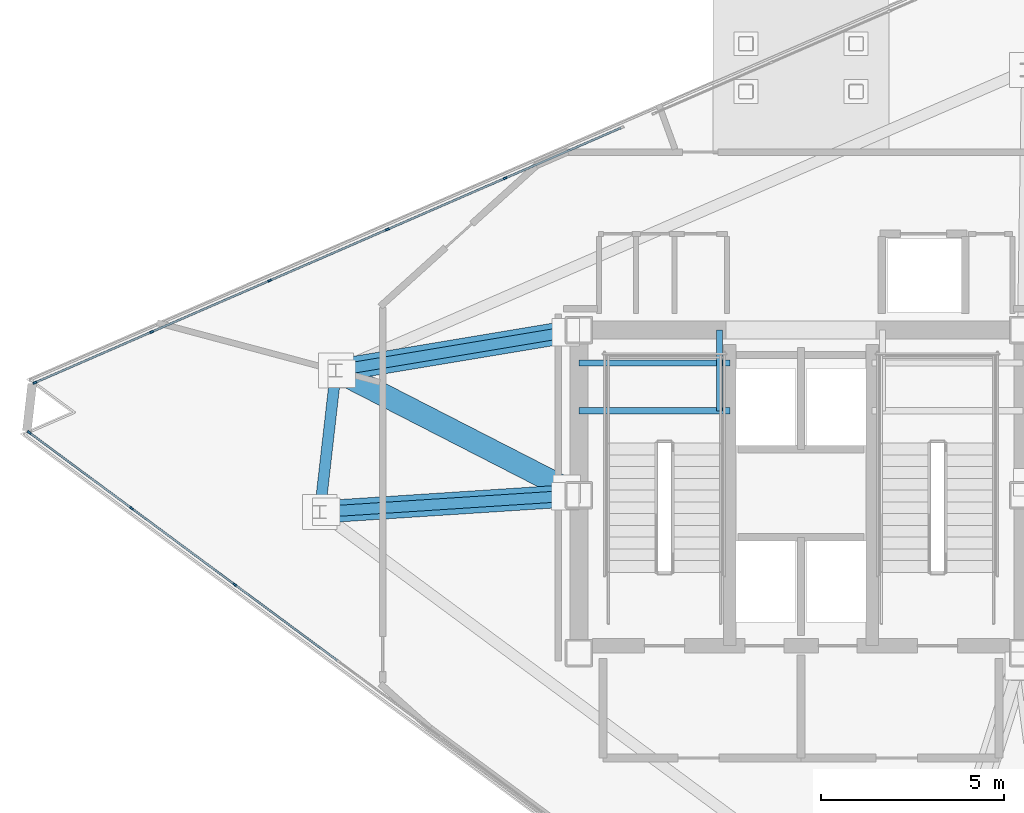
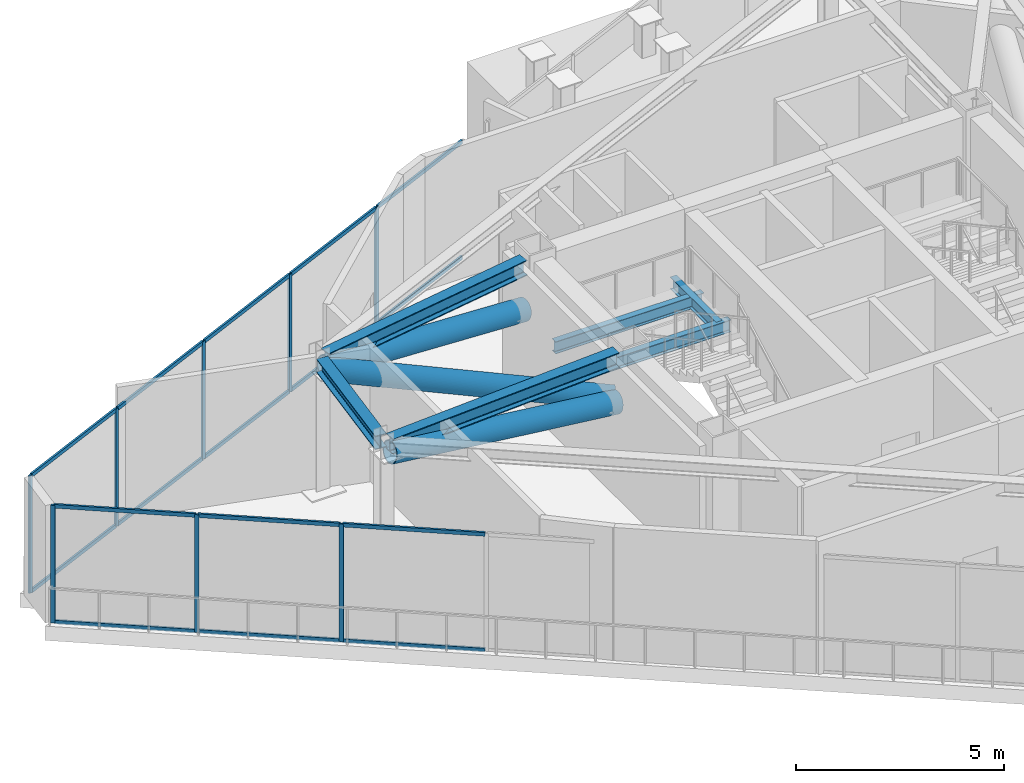
# One storey, part 4 of 11: 27 members, 6 beams, 2 elements without a shape of their own.
"""IFC4 building model written with IfcOpenShell, lengths in metres."""

from ifc_helpers import new_model, si_unit, direction, frame, origin, origin_2d, place, context, subcontext, project, spatial, rectangle, hollow_circle, i_section, extrude, material, layer, layer_set, material_profile, profile_set, type_object, element, aggregate, save


model = new_model("IFC4")

# Units and contexts
model_context = context("Model", 3, precision=1e-05, world=origin(), true_north=direction((0.0, 1.0)))
body_context = subcontext(model_context, "Body", "Model", "MODEL_VIEW")
ifc_project = project(units=[si_unit("LENGTHUNIT", "METRE"), si_unit("AREAUNIT", "SQUARE_METRE"), si_unit("VOLUMEUNIT", "CUBIC_METRE"), si_unit("PLANEANGLEUNIT", "RADIAN"), si_unit("MASSUNIT", "GRAM", prefix="KILO")], contexts=[model_context])

# Site, building, storey
site_placement = place(None, origin())
site = spatial("IfcSite", under=ifc_project, at=site_placement, CompositionType="ELEMENT")
building_placement = place(site_placement, origin())
building = spatial("IfcBuilding", under=site, at=building_placement, Name="Rocaltana Carrier Exchange", CompositionType="ELEMENT")
storey_placement = place(building_placement, frame((0.0, 0.0, 239.199951171875)))
storey = spatial("IfcBuildingStorey", under=building, at=storey_placement, Name="L76", CompositionType="ELEMENT", Elevation=239.199951171875)

# Curtain wall, members
ifc_material_1 = material(Name="Aluminium 6063-T6", Category="aluminium")
ifc_layer = layer(ifc_material_1, 0.110107421875)
ifc_layer_set = layer_set([ifc_layer], Name="Aluminium 6063-T6")
curtain_wall_type = type_object("IfcCurtainWallType", Name="Crown Lantern Faceted Curtain Wall CW-06", PredefinedType="NOTDEFINED", material=ifc_layer_set)
curtain_wall_1_placement = place(storey_placement, origin())
curtain_wall_1 = element("IfcCurtainWall", 1, at=curtain_wall_1_placement, inside=storey, type_object=curtain_wall_type, Name="L76 CW-06 Run CW06-L76-F2S2", PredefinedType="NOTDEFINED")
ifc_material_2 = material(Name="Aluminium 6063-T6", Category="aluminium")
ifc_material_profile_1 = material_profile(ifc_material_2, rectangle(XDim=0.054931640625, YDim=0.110107421875, at=origin_2d()), Name="AL-55X110")
ifc_profile_set_1 = profile_set([ifc_material_profile_1], Name="Aluminium 6063-T6")
member_type_1 = type_object("IfcMemberType", Name="CW-06 Mullion AL-55X110", PredefinedType="MULLION", material=ifc_profile_set_1)
member_1_placement = place(storey_placement, frame((-8.06298828125, 8.637451171875, 0.0), z_axis=(0.0, 0.0, 1.0), x_axis=(0.398749722519, -0.917059790194, 0.0)))
member_1 = element("IfcMember", 2, at=member_1_placement, type_object=member_type_1, Name="CW-06 mullion 2", PredefinedType="MULLION", context=body_context, shape_type="SweptSolid", body=[
    extrude(rectangle(XDim=0.054931640625, YDim=0.110107421875, at=origin_2d()), origin(), (0.0, 0.0, 1.0), 3.447998046875),
])
member_2_placement = place(storey_placement, frame((-11.272705078125, 7.24169921875, 0.0), z_axis=(0.0, 0.0, 1.0), x_axis=(0.398749722519, -0.917059790194, 0.0)))
member_2 = element("IfcMember", 3, at=member_2_placement, type_object=member_type_1, Name="CW-06 mullion 3", PredefinedType="MULLION", context=body_context, shape_type="SweptSolid", body=[
    extrude(rectangle(XDim=0.054931640625, YDim=0.110107421875, at=origin_2d()), origin(), (0.0, 0.0, 1.0), 3.447998046875),
])
member_3_placement = place(storey_placement, frame((-14.482421875, 5.84619140625, 0.0), z_axis=(0.0, 0.0, 1.0), x_axis=(0.398749722519, -0.917059790194, 0.0)))
member_3 = element("IfcMember", 4, at=member_3_placement, type_object=member_type_1, Name="CW-06 mullion 4", PredefinedType="MULLION", context=body_context, shape_type="SweptSolid", body=[
    extrude(rectangle(XDim=0.054931640625, YDim=0.110107421875, at=origin_2d()), origin(), (0.0, 0.0, 1.0), 3.447998046875),
])
member_4_placement = place(storey_placement, frame((-17.69189453125, 4.450439453125, 0.0), z_axis=(0.0, 0.0, 1.0), x_axis=(0.398749722519, -0.917059790194, 0.0)))
member_4 = element("IfcMember", 5, at=member_4_placement, type_object=member_type_1, Name="CW-06 mullion 5", PredefinedType="MULLION", context=body_context, shape_type="SweptSolid", body=[
    extrude(rectangle(XDim=0.054931640625, YDim=0.110107421875, at=origin_2d()), origin(), (0.0, 0.0, 1.0), 3.447998046875),
])
member_5_placement = place(storey_placement, frame((-20.87646484375, 3.06591796875, 0.0), z_axis=(0.0, 0.0, 1.0), x_axis=(0.398749722519, -0.917059790194, 0.0)))
member_5 = element("IfcMember", 6, at=member_5_placement, type_object=member_type_1, Name="CW-06 mullion 6", PredefinedType="MULLION", context=body_context, shape_type="SweptSolid", body=[
    extrude(rectangle(XDim=0.054931640625, YDim=0.110107421875, at=origin_2d()), origin(), (0.0, 0.0, 1.0), 3.447998046875),
])

curtain_wall_2_placement = place(storey_placement, origin())
curtain_wall_2 = element("IfcCurtainWall", 7, at=curtain_wall_2_placement, inside=storey, type_object=curtain_wall_type, Name="L76 CW-06 Run CW06-L76-F3S1", PredefinedType="NOTDEFINED")
member_6_placement = place(storey_placement, frame((-21.031005859375, 1.708984375, 0.0), z_axis=(0.0, 0.0, 1.0), x_axis=(0.594822697282, 0.803856926821, 0.0)))
member_6 = element("IfcMember", 8, at=member_6_placement, type_object=member_type_1, Name="CW-06 mullion 1", PredefinedType="MULLION", context=body_context, shape_type="SweptSolid", body=[
    extrude(rectangle(XDim=0.054931640625, YDim=0.110107421875, at=origin_2d()), origin(), (0.0, 0.0, 1.0), 3.447998046875),
])
member_7_placement = place(storey_placement, frame((-18.23974609375, -0.356689453125, 0.0), z_axis=(0.0, 0.0, 1.0), x_axis=(0.594822697282, 0.803856926821, 0.0)))
member_7 = element("IfcMember", 9, at=member_7_placement, type_object=member_type_1, Name="CW-06 mullion 2", PredefinedType="MULLION", context=body_context, shape_type="SweptSolid", body=[
    extrude(rectangle(XDim=0.054931640625, YDim=0.110107421875, at=origin_2d()), origin(), (0.0, 0.0, 1.0), 3.447998046875),
])
member_8_placement = place(storey_placement, frame((-15.42626953125, -2.4384765625, 0.0), z_axis=(0.0, 0.0, 1.0), x_axis=(0.594822697282, 0.803856926821, 0.0)))
member_8 = element("IfcMember", 10, at=member_8_placement, type_object=member_type_1, Name="CW-06 mullion 3", PredefinedType="MULLION", context=body_context, shape_type="SweptSolid", body=[
    extrude(rectangle(XDim=0.054931640625, YDim=0.110107421875, at=origin_2d()), origin(), (0.0, 0.0, 1.0), 3.447998046875),
])

# Member
ifc_material_3 = material(Name="Aluminium 6063-T6", Category="aluminium")
ifc_material_profile_2 = material_profile(ifc_material_3, rectangle(XDim=0.054931640625, YDim=0.110107421875, at=origin_2d()), Name="AL-55X110")
ifc_profile_set_2 = profile_set([ifc_material_profile_2], Name="Aluminium 6063-T6")
member_type_2 = type_object("IfcMemberType", Name="CW-06 Transom AL-55X110", PredefinedType="USERDEFINED", material=ifc_profile_set_2)
member_9_placement = place(storey_placement, frame((-4.903564453125, 10.010986328125, 0.027587890625), z_axis=(-0.917078006492, -0.398707825367, 0.0), x_axis=(0.398707825367, -0.917078006492, 0.0)))
member_9 = element("IfcMember", 11, at=member_9_placement, type_object=member_type_2, Name="CW-06 transom 1.1", ObjectType="TRANSOM", PredefinedType="USERDEFINED", context=body_context, shape_type="SweptSolid", body=[
    extrude(rectangle(XDim=0.054931640625, YDim=0.110107421875, at=origin_2d()), origin(), (0.0, 0.0, 1.0), 3.41748046875),
])

member_10_placement = place(storey_placement, frame((-4.903564453125, 10.010986328125, 3.420654296875), z_axis=(-0.917078006492, -0.398707825367, 0.0), x_axis=(0.398707825367, -0.917078006492, 0.0)))
member_10 = element("IfcMember", 12, at=member_10_placement, type_object=member_type_2, Name="CW-06 transom 1.2", ObjectType="TRANSOM", PredefinedType="USERDEFINED", context=body_context, shape_type="SweptSolid", body=[
    extrude(rectangle(XDim=0.054931640625, YDim=0.110107421875, at=origin_2d()), origin(), (0.0, 0.0, 1.0), 3.41748046875),
])

member_11_placement = place(storey_placement, frame((-8.088134765625, 8.62646484375, 0.027587890625), z_axis=(-0.917046394043, -0.398780530083, 0.0), x_axis=(0.398780530083, -0.917046394043, 0.0)))
member_11 = element("IfcMember", 13, at=member_11_placement, type_object=member_type_2, Name="CW-06 transom 2.1", ObjectType="TRANSOM", PredefinedType="USERDEFINED", context=body_context, shape_type="SweptSolid", body=[
    extrude(rectangle(XDim=0.054931640625, YDim=0.110107421875, at=origin_2d()), origin(), (0.0, 0.0, 1.0), 3.445068359375),
])

member_12_placement = place(storey_placement, frame((-8.088134765625, 8.62646484375, 3.420654296875), z_axis=(-0.917046394043, -0.398780530083, 0.0), x_axis=(0.398780530083, -0.917046394043, 0.0)))
member_12 = element("IfcMember", 14, at=member_12_placement, type_object=member_type_2, Name="CW-06 transom 2.2", ObjectType="TRANSOM", PredefinedType="USERDEFINED", context=body_context, shape_type="SweptSolid", body=[
    extrude(rectangle(XDim=0.054931640625, YDim=0.110107421875, at=origin_2d()), origin(), (0.0, 0.0, 1.0), 3.445068359375),
])

member_13_placement = place(storey_placement, frame((-11.2978515625, 7.230712890625, 0.027587890625), z_axis=(-0.917072309692, -0.398720928464, 0.0), x_axis=(0.398720928464, -0.917072309692, 0.0)))
member_13 = element("IfcMember", 15, at=member_13_placement, type_object=member_type_2, Name="CW-06 transom 3.1", ObjectType="TRANSOM", PredefinedType="USERDEFINED", context=body_context, shape_type="SweptSolid", body=[
    extrude(rectangle(XDim=0.054931640625, YDim=0.110107421875, at=origin_2d()), origin(), (0.0, 0.0, 1.0), 3.44482421875),
])

member_14_placement = place(storey_placement, frame((-11.2978515625, 7.230712890625, 3.420654296875), z_axis=(-0.917072309692, -0.398720928464, 0.0), x_axis=(0.398720928464, -0.917072309692, 0.0)))
member_14 = element("IfcMember", 16, at=member_14_placement, type_object=member_type_2, Name="CW-06 transom 3.2", ObjectType="TRANSOM", PredefinedType="USERDEFINED", context=body_context, shape_type="SweptSolid", body=[
    extrude(rectangle(XDim=0.054931640625, YDim=0.110107421875, at=origin_2d()), origin(), (0.0, 0.0, 1.0), 3.44482421875),
])

member_15_placement = place(storey_placement, frame((-14.507568359375, 5.835205078125, 0.027587890625), z_axis=(-0.917046394043, -0.398780530083, 0.0), x_axis=(0.398780530083, -0.917046394043, 0.0)))
member_15 = element("IfcMember", 17, at=member_15_placement, type_object=member_type_2, Name="CW-06 transom 4.1", ObjectType="TRANSOM", PredefinedType="USERDEFINED", context=body_context, shape_type="SweptSolid", body=[
    extrude(rectangle(XDim=0.054931640625, YDim=0.110107421875, at=origin_2d()), origin(), (0.0, 0.0, 1.0), 3.445068359375),
])

member_16_placement = place(storey_placement, frame((-14.507568359375, 5.835205078125, 3.420654296875), z_axis=(-0.917046394043, -0.398780530083, 0.0), x_axis=(0.398780530083, -0.917046394043, 0.0)))
member_16 = element("IfcMember", 18, at=member_16_placement, type_object=member_type_2, Name="CW-06 transom 4.2", ObjectType="TRANSOM", PredefinedType="USERDEFINED", context=body_context, shape_type="SweptSolid", body=[
    extrude(rectangle(XDim=0.054931640625, YDim=0.110107421875, at=origin_2d()), origin(), (0.0, 0.0, 1.0), 3.445068359375),
])

member_17_placement = place(storey_placement, frame((-17.71728515625, 4.439453125, 0.027587890625), z_axis=(-0.917078006492, -0.398707825367, 0.0), x_axis=(0.398707825367, -0.917078006492, 0.0)))
member_17 = element("IfcMember", 19, at=member_17_placement, type_object=member_type_2, Name="CW-06 transom 5.1", ObjectType="TRANSOM", PredefinedType="USERDEFINED", context=body_context, shape_type="SweptSolid", body=[
    extrude(rectangle(XDim=0.054931640625, YDim=0.110107421875, at=origin_2d()), origin(), (0.0, 0.0, 1.0), 3.41748046875),
])

member_18_placement = place(storey_placement, frame((-17.71728515625, 4.439453125, 3.420654296875), z_axis=(-0.917078006492, -0.398707825367, 0.0), x_axis=(0.398707825367, -0.917078006492, 0.0)))
member_18 = element("IfcMember", 20, at=member_18_placement, type_object=member_type_2, Name="CW-06 transom 5.2", ObjectType="TRANSOM", PredefinedType="USERDEFINED", context=body_context, shape_type="SweptSolid", body=[
    extrude(rectangle(XDim=0.054931640625, YDim=0.110107421875, at=origin_2d()), origin(), (0.0, 0.0, 1.0), 3.41748046875),
])

aggregate(curtain_wall_1, [member_1, member_2, member_3, member_4, member_5, member_9, member_10, member_11, member_12, member_13, member_14, member_15, member_16, member_17, member_18])

member_19_placement = place(storey_placement, frame((-21.009033203125, 1.692626953125, 0.027587890625), z_axis=(0.803849413673, -0.594832850587, 0.0), x_axis=(0.594832850587, 0.803849413673, 0.0)))
member_19 = element("IfcMember", 21, at=member_19_placement, type_object=member_type_2, Name="CW-06 transom 1.1", ObjectType="TRANSOM", PredefinedType="USERDEFINED", context=body_context, shape_type="SweptSolid", body=[
    extrude(rectangle(XDim=0.054931640625, YDim=0.110107421875, at=origin_2d()), origin(), (0.0, 0.0, 1.0), 3.417724609375),
])

member_20_placement = place(storey_placement, frame((-21.009033203125, 1.692626953125, 3.420654296875), z_axis=(0.803849413673, -0.594832850587, 0.0), x_axis=(0.594832850587, 0.803849413673, 0.0)))
member_20 = element("IfcMember", 22, at=member_20_placement, type_object=member_type_2, Name="CW-06 transom 1.2", ObjectType="TRANSOM", PredefinedType="USERDEFINED", context=body_context, shape_type="SweptSolid", body=[
    extrude(rectangle(XDim=0.054931640625, YDim=0.110107421875, at=origin_2d()), origin(), (0.0, 0.0, 1.0), 3.417724609375),
])

member_21_placement = place(storey_placement, frame((-18.217529296875, -0.373046875, 0.027587890625), z_axis=(0.803869685512, -0.59480545451, 0.0), x_axis=(0.59480545451, 0.803869685512, 0.0)))
member_21 = element("IfcMember", 23, at=member_21_placement, type_object=member_type_2, Name="CW-06 transom 2.1", ObjectType="TRANSOM", PredefinedType="USERDEFINED", context=body_context, shape_type="SweptSolid", body=[
    extrude(rectangle(XDim=0.054931640625, YDim=0.110107421875, at=origin_2d()), origin(), (0.0, 0.0, 1.0), 3.44482421875),
])

member_22_placement = place(storey_placement, frame((-18.217529296875, -0.373046875, 3.420654296875), z_axis=(0.803869685512, -0.59480545451, 0.0), x_axis=(0.59480545451, 0.803869685512, 0.0)))
member_22 = element("IfcMember", 24, at=member_22_placement, type_object=member_type_2, Name="CW-06 transom 2.2", ObjectType="TRANSOM", PredefinedType="USERDEFINED", context=body_context, shape_type="SweptSolid", body=[
    extrude(rectangle(XDim=0.054931640625, YDim=0.110107421875, at=origin_2d()), origin(), (0.0, 0.0, 1.0), 3.44482421875),
])

member_23_placement = place(storey_placement, frame((-15.404052734375, -2.454833984375, 0.027587890625), z_axis=(0.803869685512, -0.59480545451, 0.0), x_axis=(0.59480545451, 0.803869685512, 0.0)))
member_23 = element("IfcMember", 25, at=member_23_placement, type_object=member_type_2, Name="CW-06 transom 3.1", ObjectType="TRANSOM", PredefinedType="USERDEFINED", context=body_context, shape_type="SweptSolid", body=[
    extrude(rectangle(XDim=0.054931640625, YDim=0.110107421875, at=origin_2d()), origin(), (0.0, 0.0, 1.0), 3.44482421875),
])

member_24_placement = place(storey_placement, frame((-15.404052734375, -2.454833984375, 3.420654296875), z_axis=(0.803869685512, -0.59480545451, 0.0), x_axis=(0.59480545451, 0.803869685512, 0.0)))
member_24 = element("IfcMember", 26, at=member_24_placement, type_object=member_type_2, Name="CW-06 transom 3.2", ObjectType="TRANSOM", PredefinedType="USERDEFINED", context=body_context, shape_type="SweptSolid", body=[
    extrude(rectangle(XDim=0.054931640625, YDim=0.110107421875, at=origin_2d()), origin(), (0.0, 0.0, 1.0), 3.44482421875),
])

aggregate(curtain_wall_2, [member_6, member_7, member_8, member_19, member_20, member_21, member_22, member_23, member_24])

# Beams
ifc_material_4 = material(Name="Steel S460", Category="steel")
ifc_material_profile_3 = material_profile(ifc_material_4, i_section(OverallWidth=0.300048828125, OverallDepth=0.449951171875, WebThickness=0.013916015625, FlangeThickness=0.02587890625, FilletRadius=0.027099609375, at=origin_2d()), Name="HEB450")
ifc_profile_set_3 = profile_set([ifc_material_profile_3], Name="Steel S460")
beam_type_1 = type_object("IfcBeamType", Name="Crown Frame Rafter HEB450", PredefinedType="BEAM", material=ifc_profile_set_3)
beam_1_placement = place(storey_placement, frame((-6.412109375, 4.439697265625, 3.703125), z_axis=(-0.986394992621, -0.164392574443, 0.0), x_axis=(0.164392574443, -0.986394992621, 0.0)))
element("IfcBeam", 27, at=beam_1_placement, inside=storey, type_object=beam_type_1, Name="CRG-RAD-L76-04", PredefinedType="BEAM", context=body_context, shape_type="SweptSolid", body=[
    extrude(i_section(OverallWidth=0.300048828125, OverallDepth=0.449951171875, WebThickness=0.013916015625, FlangeThickness=0.02587890625, FilletRadius=0.027099609375, at=origin_2d()), origin(), (0.0, 0.0, 1.0), 6.173583984375),
])
beam_2_placement = place(storey_placement, frame((-6.416259765625, -0.023681640625, 3.703125), z_axis=(-0.99790046361, -0.064766231384, 0.0), x_axis=(0.064766231384, -0.99790046361, 0.0)))
element("IfcBeam", 28, at=beam_2_placement, inside=storey, type_object=beam_type_1, Name="CRG-RAD-L76-05", PredefinedType="BEAM", context=body_context, shape_type="SweptSolid", body=[
    extrude(i_section(OverallWidth=0.300048828125, OverallDepth=0.449951171875, WebThickness=0.013916015625, FlangeThickness=0.02587890625, FilletRadius=0.027099609375, at=origin_2d()), origin(), (0.0, 0.0, 1.0), 6.536376953125),
])
ifc_material_5 = material(Name="Steel S460", Category="steel")
ifc_material_profile_4 = material_profile(ifc_material_5, i_section(OverallWidth=0.300048828125, OverallDepth=0.39990234375, WebThickness=0.013427734375, FlangeThickness=0.02392578125, FilletRadius=0.027099609375, at=origin_2d()), Name="HEB400")
ifc_profile_set_4 = profile_set([ifc_material_profile_4], Name="Steel S460")
beam_type_2 = type_object("IfcBeamType", Name="Crown Ring Beam HEB400", PredefinedType="BEAM", material=ifc_profile_set_4)
beam_3_placement = place(storey_placement, frame((-12.693115234375, 3.223388671875, 3.72802734375), z_axis=(-0.11317028036, -0.993575607412, 0.0), x_axis=(0.993575607412, -0.11317028036, 0.0)))
element("IfcBeam", 29, at=beam_3_placement, inside=storey, type_object=beam_type_2, Name="CRG-RING-L76-04", PredefinedType="BEAM", context=body_context, shape_type="SweptSolid", body=[
    extrude(i_section(OverallWidth=0.300048828125, OverallDepth=0.39990234375, WebThickness=0.013427734375, FlangeThickness=0.02392578125, FilletRadius=0.027099609375, at=origin_2d()), origin(), (0.0, 0.0, 1.0), 3.531494140625),
])
ifc_material_6 = material(Name="Steel S355", Category="steel")
ifc_material_profile_5 = material_profile(ifc_material_6, i_section(OverallWidth=0.172119140625, OverallDepth=0.35791015625, WebThickness=0.0078125, FlangeThickness=0.01318359375, FilletRadius=0.011962890625, at=origin_2d()), Name="W14X38")
ifc_profile_set_5 = profile_set([ifc_material_profile_5], Name="Steel S355")
beam_type_3 = type_object("IfcBeamType", Name="Floor Joist W14X38", PredefinedType="JOIST", material=ifc_profile_set_5)
for number, where, z_axis, x_axis, name in (
    (30, (-6.050048828125, 2.300048828125, 1.700927734375), (1.0, 0.0, 0.0), (0.0, 1.0, 0.0), "L76 ST-1 Landing Carrier 1"),
    (31, (-6.050048828125, 3.60009765625, 1.700927734375), (1.0, 0.0, 0.0), (0.0, 1.0, 0.0), "L76 ST-1 Landing Carrier 2"),
):
    element("IfcBeam", number, at=place(storey_placement, frame(where, z_axis=z_axis, x_axis=x_axis)), inside=storey, type_object=beam_type_3, Name=name, PredefinedType="JOIST", context=body_context, shape_type="SweptSolid", body=[
        extrude(i_section(OverallWidth=0.172119140625, OverallDepth=0.35791015625, WebThickness=0.0078125, FlangeThickness=0.01318359375, FilletRadius=0.011962890625, at=origin_2d()), origin(), (0.0, 0.0, 1.0), 4.110107421875),
    ])
beam_4_placement = place(storey_placement, frame((-2.219970703125, 2.300048828125, 1.700927734375), z_axis=(0.0, 1.0, 0.0), x_axis=(-1.0, 0.0, 0.0)))
element("IfcBeam", 32, at=beam_4_placement, inside=storey, type_object=beam_type_3, Name="L76 ST-1 Landing Cross Trimmer", PredefinedType="JOIST", context=body_context, shape_type="SweptSolid", body=[
    extrude(i_section(OverallWidth=0.172119140625, OverallDepth=0.35791015625, WebThickness=0.0078125, FlangeThickness=0.01318359375, FilletRadius=0.011962890625, at=origin_2d()), origin(), (0.0, 0.0, 1.0), 2.199951171875),
])

# Members
ifc_material_7 = material(Name="Steel S460", Category="steel")
ifc_material_profile_6 = material_profile(ifc_material_7, hollow_circle(Radius=0.304931640625, WallThickness=0.02490234375, at=origin_2d()), Name="CHS610X25")
ifc_profile_set_6 = profile_set([ifc_material_profile_6], Name="Steel S460")
member_type_3 = type_object("IfcMemberType", Name="Outrigger Diagonal CHS610", PredefinedType="BRACE", material=ifc_profile_set_6)
member_25_placement = place(storey_placement, frame((-6.380126953125, 0.169189453125, 2.400146484375), z_axis=(-0.879348077292, 0.450907353387, 0.153067036377), x_axis=(-0.456284295316, -0.889834052983, 0.0)))
element("IfcMember", 33, at=member_25_placement, inside=storey, type_object=member_type_3, Name="L76 Hat Truss Diagonal 4", PredefinedType="BRACE", context=body_context, shape_type="SweptSolid", body=[
    extrude(hollow_circle(Radius=0.304931640625, WallThickness=0.02490234375, at=origin_2d()), origin(), (0.0, 0.0, 1.0), 6.9765625),
])
member_26_placement = place(storey_placement, frame((-6.416015625, 4.43896484375, 2.400146484375), z_axis=(-0.971929405836, -0.161955720911, 0.170656305292), x_axis=(0.164366881594, -0.986399274247, 0.0)))
element("IfcMember", 34, at=member_26_placement, inside=storey, type_object=member_type_3, Name="L76 Hat Truss Diagonal 5", PredefinedType="BRACE", context=body_context, shape_type="SweptSolid", body=[
    extrude(hollow_circle(Radius=0.304931640625, WallThickness=0.02490234375, at=origin_2d()), origin(), (0.0, 0.0, 1.0), 6.25732421875),
])
member_27_placement = place(storey_placement, frame((-6.420166015625, -0.02392578125, 2.400146484375), z_axis=(-0.984812013366, -0.063921990974, 0.161428861732), x_axis=(0.064771511371, -0.997900120911, 0.0)))
element("IfcMember", 35, at=member_27_placement, inside=storey, type_object=member_type_3, Name="L76 Hat Truss Diagonal 6", PredefinedType="BRACE", context=body_context, shape_type="SweptSolid", body=[
    extrude(hollow_circle(Radius=0.304931640625, WallThickness=0.02490234375, at=origin_2d()), origin(), (0.0, 0.0, 1.0), 6.615234375),
])

save(model, "model.ifc")
